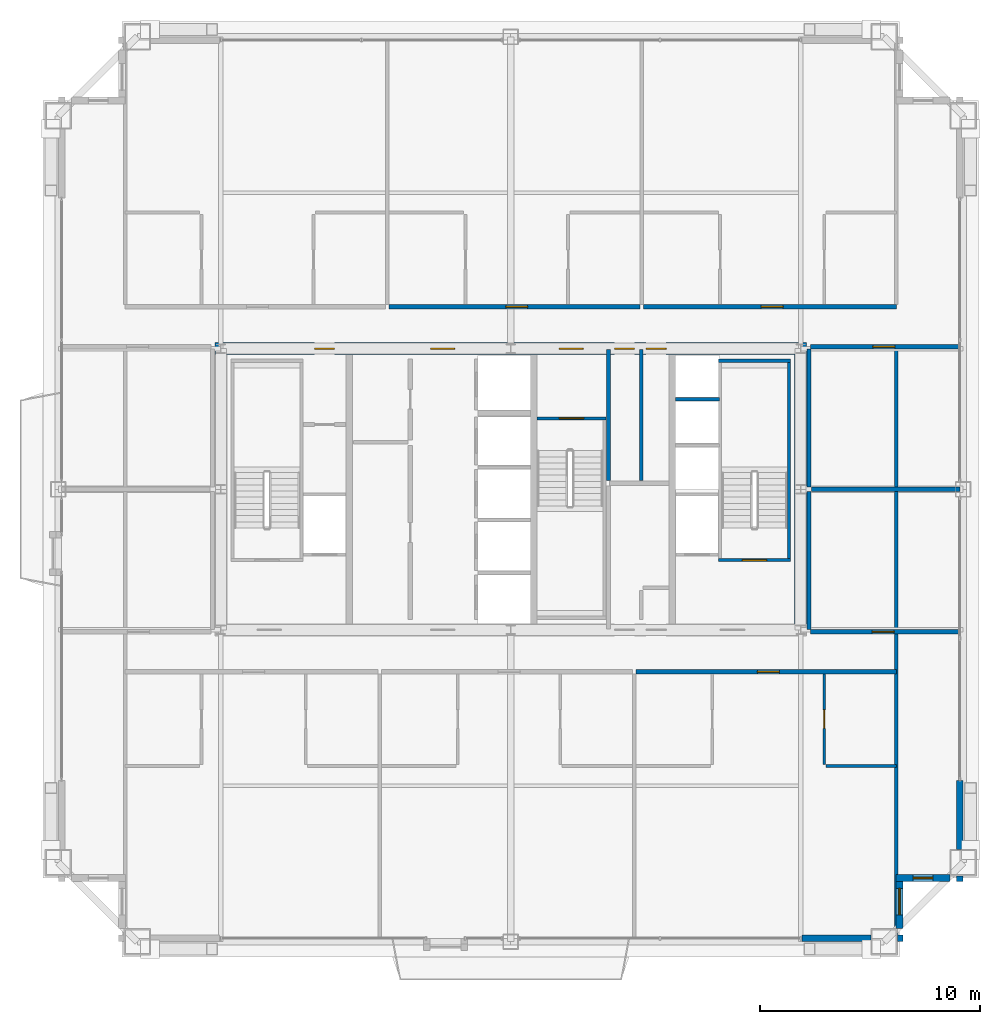
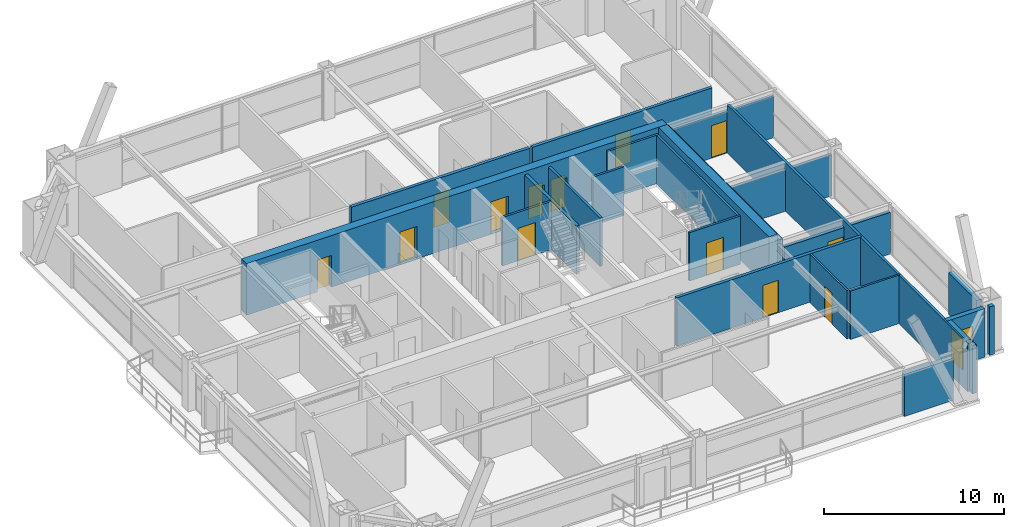
# One storey, part 31 of 33: 26 walls, 13 doors, 2 windows, 15 openings.
"""IFC4 building model written with IfcOpenShell, lengths in metres."""

import ifcopenshell
import ifcopenshell.guid

model = None  # the IFC model being written
_history = None  # IfcOwnerHistory: only IFC2X3 demands one
_inside = {}  # id of a spatial element -> (the spatial element, [elements in it])
_under = {}  # id of a project, library or spatial element -> (it, [spatial elements below it])
_declared = {}  # id of a project -> (the project, [libraries it declares])
_typed = {}  # id of a type object -> (the type object, [elements of that type])
_made_of = {}  # id of a material, layer set ... -> (it, [elements and type objects made of it])


def new_model(schema):
    """Start an empty IFC model of exactly this schema.

    Asked for "IFC4X3", IfcOpenShell would pick the latest addendum, in which some entities
    have other attributes; the version numbers below select the first issue.
    IFC2X3 requires an IfcOwnerHistory on every rooted entity: one is made here for all.
    """
    global model, _history
    if schema == "IFC4X3":
        model = ifcopenshell.file(schema_version=(4, 3, 0, 0))
    else:
        model = ifcopenshell.file(schema=schema)
    _inside.clear()
    _under.clear()
    _declared.clear()
    _typed.clear()
    _made_of.clear()
    _history = None
    if model.schema == "IFC2X3":
        org = make("IfcOrganization", Name="unknown")
        user = make(
            "IfcPersonAndOrganization",
            ThePerson=make("IfcPerson", FamilyName="unknown"),
            TheOrganization=org,
        )
        app = make(
            "IfcApplication",
            ApplicationDeveloper=org,
            Version="unknown",
            ApplicationFullName="unknown",
            ApplicationIdentifier="unknown",
        )
        _history = make(
            "IfcOwnerHistory",
            OwningUser=user,
            OwningApplication=app,
            ChangeAction="ADDED",
            CreationDate=0,
        )
    return model


def make(cls, **values):
    """One entity of the class cls with the attributes given. An attribute that is None is left unset."""
    return model.create_entity(
        cls, **{name: value for name, value in values.items() if value is not None}
    )


def rooted(cls, **values):
    """An entity with a GlobalId (a new one), such as an element, a storey or a relation."""
    return make(cls, GlobalId=ifcopenshell.guid.new(), OwnerHistory=_history, **values)


def si_unit(unit_type, name, prefix=None):
    """IfcSIUnit, for example si_unit("LENGTHUNIT", "METRE", prefix="MILLI")."""
    return make("IfcSIUnit", UnitType=unit_type, Prefix=prefix, Name=name)


def assignment(units):
    """IfcUnitAssignment: the units of a project."""
    return None if units is None else make("IfcUnitAssignment", Units=units)


def point(xyz):
    """IfcCartesianPoint."""
    return None if xyz is None else make("IfcCartesianPoint", Coordinates=xyz)


def direction(xyz):
    """IfcDirection."""
    return None if xyz is None else make("IfcDirection", DirectionRatios=xyz)


def frame(location, z_axis=None, x_axis=None):
    """IfcAxis2Placement3D, a coordinate frame: its origin and axes. An axis left out is left unset."""
    return make(
        "IfcAxis2Placement3D",
        Location=point(location),
        Axis=direction(z_axis),
        RefDirection=direction(x_axis),
    )


def frame_2d(location, x_axis=None):
    """IfcAxis2Placement2D, a coordinate frame in the plane: its origin and x axis."""
    return make(
        "IfcAxis2Placement2D", Location=point(location), RefDirection=direction(x_axis)
    )


def origin():
    """The frame at (0, 0, 0) with its axes left unset."""
    return frame((0.0, 0.0, 0.0))


def place(relative_to, where):
    """IfcLocalPlacement: puts the frame where relative to a parent placement (None: the world)."""
    return make(
        "IfcLocalPlacement", PlacementRelTo=relative_to, RelativePlacement=where
    )


def context(
    kind, dimensions, precision=None, world=None, true_north=None, identifier=None
):
    """IfcGeometricRepresentationContext, for example the 3D "Model" context."""
    return make(
        "IfcGeometricRepresentationContext",
        ContextIdentifier=identifier,
        ContextType=kind,
        CoordinateSpaceDimension=dimensions,
        Precision=precision,
        WorldCoordinateSystem=world,
        TrueNorth=true_north,
    )


def subcontext(parent, identifier, kind, view, scale=None):
    """IfcGeometricRepresentationSubContext, for example "Body" below "Model"."""
    return make(
        "IfcGeometricRepresentationSubContext",
        ContextIdentifier=identifier,
        ContextType=kind,
        ParentContext=parent,
        TargetScale=scale,
        TargetView=view,
    )


def project(units=None, contexts=None):
    """IfcProject with its units and contexts."""
    return rooted(
        "IfcProject",
        Name="project",
        RepresentationContexts=contexts,
        UnitsInContext=assignment(units),
    )


def spatial(cls, under=None, at=None, **own):
    """A site, building, storey or space (cls), placed at a placement, below another one or the project."""
    s = rooted(cls, ObjectPlacement=at, **own)
    if under is not None:
        _under.setdefault(under.id(), (under, []))[1].append(s)
    return s


def profile(cls, at=None, kind="AREA", **sizes):
    """A parametric profile (cls). Its sizes go by their IFC names, for example OverallWidth=200.0."""
    return make(cls, ProfileType=kind, Position=at, **sizes)


def rectangle(**sizes):
    """IfcRectangleProfileDef."""
    return profile("IfcRectangleProfileDef", **sizes)


def extrude(swept, where, along, depth):
    """IfcExtrudedAreaSolid: the profile swept, set in the frame where, extruded along a direction by depth."""
    return make(
        "IfcExtrudedAreaSolid",
        SweptArea=swept,
        Position=where,
        ExtrudedDirection=direction(along),
        Depth=depth,
    )


def shape(context_of_items, identifier, shape_type, items):
    """IfcShapeRepresentation: the items that make up one representation, for example the "Body"."""
    return make(
        "IfcShapeRepresentation",
        ContextOfItems=context_of_items,
        RepresentationIdentifier=identifier,
        RepresentationType=shape_type,
        Items=items,
    )


def source(mapping_origin, context_of_items, identifier, shape_type, items):
    """IfcRepresentationMap: a shape defined once, which mapped items show again and again."""
    return make(
        "IfcRepresentationMap",
        MappingOrigin=mapping_origin,
        MappedRepresentation=shape(context_of_items, identifier, shape_type, items),
    )


def transform(
    local_origin,
    x_axis=None,
    y_axis=None,
    z_axis=None,
    scale=None,
    scale2=None,
    scale3=None,
    uniform=True,
):
    """IfcCartesianTransformationOperator3D, or its non-uniform kind. x_axis, y_axis, z_axis: its Axis1, 2, 3."""
    if uniform:
        return make(
            "IfcCartesianTransformationOperator3D",
            Axis1=direction(x_axis),
            Axis2=direction(y_axis),
            LocalOrigin=point(local_origin),
            Scale=scale,
            Axis3=direction(z_axis),
        )
    return make(
        "IfcCartesianTransformationOperator3DnonUniform",
        Axis1=direction(x_axis),
        Axis2=direction(y_axis),
        LocalOrigin=point(local_origin),
        Scale=scale,
        Axis3=direction(z_axis),
        Scale2=scale2,
        Scale3=scale3,
    )


def mapped(mapping_source, mapping_target):
    """IfcMappedItem: shows the shape of a source again, moved by a transform."""
    return make(
        "IfcMappedItem", MappingSource=mapping_source, MappingTarget=mapping_target
    )


def material(Name=None, Category=None):
    """IfcMaterial."""
    return make("IfcMaterial", Name=Name, Category=Category)


def layer(
    of_material, thickness, ventilated=None, Name=None, Category=None, Priority=None
):
    """IfcMaterialLayer: one layer of a wall or slab, of a material (None: an air gap)."""
    return make(
        "IfcMaterialLayer",
        Material=of_material,
        LayerThickness=thickness,
        IsVentilated=ventilated,
        Name=Name,
        Category=Category,
        Priority=Priority,
    )


def layer_set(layers, Name=None):
    """IfcMaterialLayerSet."""
    return make("IfcMaterialLayerSet", MaterialLayers=layers, LayerSetName=Name)


def made_of(thing, what):
    """Note that an element or type object is made of a material, layer set ...; save() writes the relation."""
    if what is not None:
        _made_of.setdefault(what.id(), (what, []))[1].append(thing)
    return thing


def type_object(cls, material=None, **own):
    """A type object (cls), such as IfcWallType, which elements share."""
    return made_of(rooted(cls, **own), material)


def element(
    cls,
    number,
    at=None,
    inside=None,
    cuts=None,
    type_object=None,
    material=None,
    context=None,
    identifier="Body",
    shape_type=None,
    held_by="IfcProductDefinitionShape",
    body=None,
    shapes=None,
    **own,
):
    """One element of the class cls, such as IfcWall. Its Tag is "e" and its number.

    at: its placement. inside: the storey or other place that contains it. cuts: it is an
    opening in that element (IfcRelVoidsElement). A single representation is given by context,
    identifier, shape_type and body (its items); several are given by shapes. held_by: the class
    of the entity that holds the representations. save() writes the other relations.
    """
    e = rooted(cls, Tag="e%d" % number, ObjectPlacement=at, **own)
    if body is not None:
        shapes = [shape(context, identifier, shape_type, body)]
    if shapes is not None:
        e.Representation = make(held_by, Representations=shapes)
    if inside is not None:
        _inside.setdefault(inside.id(), (inside, []))[1].append(e)
    if cuts is not None:
        rooted(
            "IfcRelVoidsElement", RelatingBuildingElement=cuts, RelatedOpeningElement=e
        )
    if type_object is not None:
        _typed.setdefault(type_object.id(), (type_object, []))[1].append(e)
    return made_of(e, material)


def fill(opening, filler):
    """IfcRelFillsElement: the door or window that sits in an opening."""
    return rooted(
        "IfcRelFillsElement",
        RelatingOpeningElement=opening,
        RelatedBuildingElement=filler,
    )


def aggregate(whole, parts):
    """IfcRelAggregates: a whole, such as a stair, and the parts it consists of."""
    return rooted("IfcRelAggregates", RelatingObject=whole, RelatedObjects=parts)


def save(model, path):
    """Write the relations noted so far, then the file.

    IfcRelAggregates (storeys below a building ...), IfcRelContainedInSpatialStructure (elements
    in a storey), IfcRelDefinesByType, IfcRelAssociatesMaterial and IfcRelDeclares: one each for
    every whole, place, type object, material and project.
    """
    for whole, parts in _under.values():
        aggregate(whole, parts)
    for where, things in _inside.values():
        rooted(
            "IfcRelContainedInSpatialStructure",
            RelatedElements=things,
            RelatingStructure=where,
        )
    for kind, things in _typed.values():
        rooted("IfcRelDefinesByType", RelatedObjects=things, RelatingType=kind)
    for what, things in _made_of.values():
        rooted("IfcRelAssociatesMaterial", RelatedObjects=things, RelatingMaterial=what)
    for by, libraries in _declared.values():
        rooted("IfcRelDeclares", RelatingContext=by, RelatedDefinitions=libraries)
    model.write(path)


model = new_model("IFC4")

# Units and contexts
model_context = context("Model", 3, precision=1e-05, world=origin(), true_north=direction((0.0, 1.0)))
body_context = subcontext(model_context, "Body", "Model", "MODEL_VIEW")
ifc_project = project(units=[si_unit("LENGTHUNIT", "METRE"), si_unit("AREAUNIT", "SQUARE_METRE"), si_unit("VOLUMEUNIT", "CUBIC_METRE"), si_unit("PLANEANGLEUNIT", "RADIAN"), si_unit("MASSUNIT", "GRAM", prefix="KILO"), si_unit("THERMODYNAMICTEMPERATUREUNIT", "KELVIN"), si_unit("POWERUNIT", "WATT")], contexts=[model_context])

# Site, building, storey
site_placement = place(None, origin())
site = spatial("IfcSite", under=ifc_project, at=site_placement, CompositionType="ELEMENT")
building_placement = place(site_placement, origin())
building = spatial("IfcBuilding", under=site, at=building_placement, Name="Yuzanri Waterfront Tower", CompositionType="ELEMENT")
storey_placement = place(building_placement, frame((0.0, 0.0, 234.60009765625)))
storey = spatial("IfcBuildingStorey", under=building, at=storey_placement, Name="L62", CompositionType="ELEMENT", Elevation=234.60009765625)

# Wall, opening, door
ifc_material_1 = material(Name="Moisture-Resistant Gypsum Stud Wall", Category="gypsum")
ifc_layer_1 = layer(ifc_material_1, 0.1201171875)
ifc_layer_set_1 = layer_set([ifc_layer_1], Name="Moisture-Resistant Gypsum Stud Wall")
wall_type_1 = type_object("IfcWallType", Name="Bathroom and Kitchen Wet Partition 120", PredefinedType="PARTITIONING", material=ifc_layer_set_1)
wall_1_placement = place(storey_placement, frame((51.280029296875, 13.280029296875, 0.0), z_axis=(0.0, 0.0, 1.0), x_axis=(0.0, 1.0, 0.0)))
wall_1 = element("IfcWall", 1, at=wall_1_placement, inside=storey, type_object=wall_type_1, Name="L62 Partition UW-L62-RS3-SUB-2-W", PredefinedType="PARTITIONING", context=body_context, shape_type="SweptSolid", body=[
    extrude(rectangle(XDim=4.10986328125, YDim=0.1201171875, at=frame_2d((2.054931640625, 0.0))), origin(), (0.0, 0.0, 1.0), 3.27978515625),
])
opening_1_placement = place(wall_1_placement, frame((1.6298828125, 0.0, 0.0)))
opening_1 = element("IfcOpeningElement", 2, at=opening_1_placement, cuts=wall_1, Name="Opening ID-0850", PredefinedType="OPENING", context=body_context, shape_type="SweptSolid", body=[
    extrude(rectangle(XDim=0.85009765625, YDim=2.10009765625, at=frame_2d((0.425048828125, 1.050048828125))), frame((0.0, 0.074951171875, 0.0), z_axis=(0.0, -1.0, 0.0), x_axis=(1.0, 0.0, 0.0)), (0.0, 0.0, 1.0), 0.14990234375),
])
ifc_material_2 = material(Name="Moisture-Resistant Lacquered Timber", Category="wood")
door_type_1 = type_object("IfcDoorType", Name="En-Suite Bathroom and Kitchen Swing Door 850x2100", OperationType="NOTDEFINED", PredefinedType="DOOR", material=ifc_material_2)
shared_shape_1 = source(origin(), body_context, "Body", "SweptSolid", [
    extrude(rectangle(XDim=0.85009765625, YDim=2.10009765625, at=frame_2d((0.425048828125, 1.050048828125))), frame((0.0, 0.02490234375, 0.0), z_axis=(0.0, -1.0, 0.0), x_axis=(1.0, 0.0, 0.0)), (0.0, 0.0, 1.0), 0.050048828125),
])
door_1_placement = place(opening_1_placement, origin())
door_1 = element("IfcDoor", 3, at=door_1_placement, inside=storey, type_object=door_type_1, Name="L62 Suite Interior Room Door", OperationType="SINGLE_SWING_RIGHT", OverallHeight=2.10009765625, OverallWidth=0.85009765625, PredefinedType="DOOR", context=body_context, shape_type="MappedRepresentation", body=[
    mapped(shared_shape_1, transform((0.0, 0.0, 0.0), scale=1.0)),
])
fill(opening_1, door_1)

# Wall, opening, window
ifc_material_3 = material(Name="Honed Chongqing Dark Basalt Stone", Category="masonry")
ifc_layer_2 = layer(ifc_material_3, 0.300048828125)
ifc_layer_set_2 = layer_set([ifc_layer_2], Name="Honed Chongqing Dark Basalt Stone")
wall_type_2 = type_object("IfcWallType", Name="Bronze Rainscreen Insulated Spandrel Portal Wall 300", PredefinedType="SOLIDWALL", material=ifc_layer_set_2)
wall_2_placement = place(storey_placement, frame((54.550048828125, 8.10009765625, 0.0), z_axis=(0.0, 0.0, 1.0), x_axis=(1.0, 0.0, 0.0)))
wall_2 = element("IfcWall", 4, at=wall_2_placement, inside=storey, type_object=wall_type_2, Name="L62 Notched Corner Masonry Wall SE-X", PredefinedType="SOLIDWALL", context=body_context, shape_type="SweptSolid", body=[
    extrude(rectangle(XDim=2.449951171875, YDim=0.300048828125, at=frame_2d((1.22509765625, 0.0))), origin(), (0.0, 0.0, 1.0), 3.27978515625),
])
opening_2_placement = place(wall_2_placement, frame((0.77490234375, 0.0, 0.85009765625)))
opening_2 = element("IfcOpeningElement", 5, at=opening_2_placement, cuts=wall_2, Name="Opening WN-05", PredefinedType="OPENING", context=body_context, shape_type="SweptSolid", body=[
    extrude(rectangle(XDim=0.89990234375, YDim=1.5, at=frame_2d((0.449951171875, 0.75))), frame((0.0, 0.1650390625, 0.0), z_axis=(0.0, -1.0, 0.0), x_axis=(1.0, 0.0, 0.0)), (0.0, 0.0, 1.0), 0.329833984375),
])
ifc_material_4 = material(Name="Double-Silver Low-E Insulated Glass", Category="glass")
window_type_1 = type_object("IfcWindowType", Name="Anodized Bronze Service and Stairwell Smoke-Vent Window 900x1500", PartitioningType="SINGLE_PANEL", PredefinedType="WINDOW", material=ifc_material_4)
shared_shape_2 = source(origin(), body_context, "Body", "SweptSolid", [
    extrude(rectangle(XDim=0.89990234375, YDim=1.5, at=frame_2d((0.449951171875, 0.75))), frame((0.0, 0.030029296875, 0.0), z_axis=(0.0, -1.0, 0.0), x_axis=(1.0, 0.0, 0.0)), (0.0, 0.0, 1.0), 0.06005859375),
])
window_1_placement = place(opening_2_placement, origin())
window_1 = element("IfcWindow", 6, at=window_1_placement, inside=storey, type_object=window_type_1, Name="L62 Notched Corner Window SE-X", OverallHeight=1.5, OverallWidth=0.89990234375, PartitioningType="SINGLE_PANEL", PredefinedType="WINDOW", context=body_context, shape_type="MappedRepresentation", body=[
    mapped(shared_shape_2, transform((0.0, 0.0, 0.0), scale=1.0)),
])
fill(opening_2, window_1)

wall_3_placement = place(storey_placement, frame((54.699951171875, 5.800048828125, 0.0), z_axis=(0.0, 0.0, 1.0), x_axis=(0.0, 1.0, 0.0)))
wall_3 = element("IfcWall", 7, at=wall_3_placement, inside=storey, type_object=wall_type_2, Name="L62 Notched Corner Masonry Wall SE-Y", PredefinedType="SOLIDWALL", context=body_context, shape_type="SweptSolid", body=[
    extrude(rectangle(XDim=2.449951171875, YDim=0.300048828125, at=frame_2d((1.22509765625, 0.0))), origin(), (0.0, 0.0, 1.0), 3.27978515625),
])
opening_3_placement = place(wall_3_placement, frame((0.625, 0.0, 0.85009765625)))
opening_3 = element("IfcOpeningElement", 8, at=opening_3_placement, cuts=wall_3, Name="Opening WN-02", PredefinedType="OPENING", context=body_context, shape_type="SweptSolid", body=[
    extrude(rectangle(XDim=1.199951171875, YDim=2.10009765625, at=frame_2d((0.60009765625, 1.050048828125))), frame((0.0, 0.1650390625, 0.0), z_axis=(0.0, -1.0, 0.0), x_axis=(1.0, 0.0, 0.0)), (0.0, 0.0, 1.0), 0.329833984375),
])
ifc_material_5 = material(Name="Double-Silver Low-E Insulated Glass", Category="glass")
window_type_2 = type_object("IfcWindowType", Name="Anodized Bronze Notched Corner Deep-Set Slot Window 1200x2100", PartitioningType="SINGLE_PANEL", PredefinedType="WINDOW", material=ifc_material_5)
shared_shape_3 = source(origin(), body_context, "Body", "SweptSolid", [
    extrude(rectangle(XDim=1.199951171875, YDim=2.10009765625, at=frame_2d((0.60009765625, 1.050048828125))), frame((0.0, 0.030029296875, 0.0), z_axis=(0.0, -1.0, 0.0), x_axis=(1.0, 0.0, 0.0)), (0.0, 0.0, 1.0), 0.06005859375),
])
window_2_placement = place(opening_3_placement, origin())
window_2 = element("IfcWindow", 9, at=window_2_placement, inside=storey, type_object=window_type_2, Name="L62 Notched Corner Window SE-Y", OverallHeight=2.10009765625, OverallWidth=1.199951171875, PartitioningType="SINGLE_PANEL", PredefinedType="WINDOW", context=body_context, shape_type="MappedRepresentation", body=[
    mapped(shared_shape_3, transform((0.0, 0.0, 0.0), scale=1.0)),
])
fill(opening_3, window_2)

# Wall, openings, doors
ifc_material_6 = material(Name="Concrete C50", Category="concrete")
ifc_layer_3 = layer(ifc_material_6, 0.550048828125)
ifc_layer_set_3 = layer_set([ifc_layer_3], Name="Concrete C50")
wall_type_3 = type_object("IfcWallType", Name="Concrete C50 Upper-Mid Zone Core Shear Wall 550", PredefinedType="SHEAR", material=ifc_layer_set_3)
wall_4_placement = place(storey_placement, frame((23.52490234375, 32.199951171875, 0.0), z_axis=(0.0, 0.0, 1.0), x_axis=(1.0, 0.0, 0.0)))
wall_4 = element("IfcWall", 10, at=wall_4_placement, inside=storey, type_object=wall_type_3, Name="L62 Core North Shear Wall", PredefinedType="SHEAR", context=body_context, shape_type="SweptSolid", body=[
    extrude(rectangle(XDim=26.9501953125, YDim=0.550048828125, at=frame_2d((13.47509765625, 0.0))), origin(), (0.0, 0.0, 1.0), 3.5),
])
opening_4_placement = place(wall_4_placement, frame((4.544921875, 0.0, 0.0)))
opening_4 = element("IfcOpeningElement", 11, at=opening_4_placement, cuts=wall_4, Name="Opening FD-0900", PredefinedType="OPENING", context=body_context, shape_type="SweptSolid", body=[
    extrude(rectangle(XDim=0.89990234375, YDim=2.14990234375, at=frame_2d((0.449951171875, 1.074951171875))), frame((0.0, 0.2900390625, 0.0), z_axis=(0.0, -1.0, 0.0), x_axis=(1.0, 0.0, 0.0)), (0.0, 0.0, 1.0), 0.579833984375),
])
opening_5_placement = place(wall_4_placement, frame((9.824951171875, 0.0, 0.0)))
opening_5 = element("IfcOpeningElement", 12, at=opening_5_placement, cuts=wall_4, Name="Opening FD-1100", PredefinedType="OPENING", context=body_context, shape_type="SweptSolid", body=[
    extrude(rectangle(XDim=1.10009765625, YDim=2.199951171875, at=frame_2d((0.550048828125, 1.10009765625))), frame((0.0, 0.2900390625, 0.0), z_axis=(0.0, -1.0, 0.0), x_axis=(1.0, 0.0, 0.0)), (0.0, 0.0, 1.0), 0.579833984375),
])
opening_6_placement = place(wall_4_placement, frame((15.675048828125, 0.0, 0.0)))
opening_6 = element("IfcOpeningElement", 13, at=opening_6_placement, cuts=wall_4, Name="Opening FD-1100", PredefinedType="OPENING", context=body_context, shape_type="SweptSolid", body=[
    extrude(rectangle(XDim=1.10009765625, YDim=2.199951171875, at=frame_2d((0.550048828125, 1.10009765625))), frame((0.0, 0.2900390625, 0.0), z_axis=(0.0, -1.0, 0.0), x_axis=(1.0, 0.0, 0.0)), (0.0, 0.0, 1.0), 0.579833984375),
])
opening_7_placement = place(wall_4_placement, frame((18.205078125, 0.0, 0.0)))
opening_7 = element("IfcOpeningElement", 14, at=opening_7_placement, cuts=wall_4, Name="Opening FD-0900", PredefinedType="OPENING", context=body_context, shape_type="SweptSolid", body=[
    extrude(rectangle(XDim=0.89990234375, YDim=2.14990234375, at=frame_2d((0.449951171875, 1.074951171875))), frame((0.0, 0.2900390625, 0.0), z_axis=(0.0, -1.0, 0.0), x_axis=(1.0, 0.0, 0.0)), (0.0, 0.0, 1.0), 0.579833984375),
])
opening_8_placement = place(wall_4_placement, frame((19.64501953125, 0.0, 0.0)))
opening_8 = element("IfcOpeningElement", 15, at=opening_8_placement, cuts=wall_4, Name="Opening FD-0900", PredefinedType="OPENING", context=body_context, shape_type="SweptSolid", body=[
    extrude(rectangle(XDim=0.89990234375, YDim=2.14990234375, at=frame_2d((0.449951171875, 1.074951171875))), frame((0.0, 0.2900390625, 0.0), z_axis=(0.0, -1.0, 0.0), x_axis=(1.0, 0.0, 0.0)), (0.0, 0.0, 1.0), 0.579833984375),
])
ifc_material_7 = material(Name="Painted Galvanized Fire Steel", Category="steel")
door_type_2 = type_object("IfcDoorType", Name="Smoke-Proof Stair and Lobby Fire Door 1100x2200", OperationType="NOTDEFINED", PredefinedType="DOOR", material=ifc_material_7)
shared_shape_4 = source(origin(), body_context, "Body", "SweptSolid", [
    extrude(rectangle(XDim=1.10009765625, YDim=2.199951171875, at=frame_2d((0.550048828125, 1.10009765625))), frame((0.0, 0.02490234375, 0.0), z_axis=(0.0, -1.0, 0.0), x_axis=(1.0, 0.0, 0.0)), (0.0, 0.0, 1.0), 0.050048828125),
])
door_2_placement = place(opening_5_placement, origin())
door_2 = element("IfcDoor", 16, at=door_2_placement, inside=storey, type_object=door_type_2, Name="L62 Central Lift Lobby North Door", OperationType="SINGLE_SWING_LEFT", OverallHeight=2.199951171875, OverallWidth=1.10009765625, PredefinedType="DOOR", context=body_context, shape_type="MappedRepresentation", body=[
    mapped(shared_shape_4, transform((0.0, 0.0, 0.0), scale=1.0)),
])
fill(opening_5, door_2)
door_3_placement = place(opening_6_placement, origin())
door_3 = element("IfcDoor", 17, at=door_3_placement, inside=storey, type_object=door_type_2, Name="L62 North Stair Lobby Door", OperationType="SINGLE_SWING_RIGHT", OverallHeight=2.199951171875, OverallWidth=1.10009765625, PredefinedType="DOOR", context=body_context, shape_type="MappedRepresentation", body=[
    mapped(shared_shape_4, transform((0.0, 0.0, 0.0), scale=1.0)),
])
fill(opening_6, door_3)
ifc_material_8 = material(Name="Painted Galvanized Fire Steel", Category="steel")
door_type_3 = type_object("IfcDoorType", Name="Riser and Service Room Fire Door 900x2150", OperationType="NOTDEFINED", PredefinedType="DOOR", material=ifc_material_8)
shared_shape_5 = source(origin(), body_context, "Body", "SweptSolid", [
    extrude(rectangle(XDim=0.89990234375, YDim=2.14990234375, at=frame_2d((0.449951171875, 1.074951171875))), frame((0.0, 0.02490234375, 0.0), z_axis=(0.0, -1.0, 0.0), x_axis=(1.0, 0.0, 0.0)), (0.0, 0.0, 1.0), 0.050048828125),
])
door_4_placement = place(opening_4_placement, origin())
door_4 = element("IfcDoor", 18, at=door_4_placement, inside=storey, type_object=door_type_3, Name="L62 Telecom Riser Door", OperationType="SINGLE_SWING_RIGHT", OverallHeight=2.14990234375, OverallWidth=0.89990234375, PredefinedType="DOOR", context=body_context, shape_type="MappedRepresentation", body=[
    mapped(shared_shape_5, transform((0.0, 0.0, 0.0), scale=1.0)),
])
fill(opening_4, door_4)
door_5_placement = place(opening_7_placement, origin())
door_5 = element("IfcDoor", 19, at=door_5_placement, inside=storey, type_object=door_type_3, Name="L62 Common Store Room", OperationType="SINGLE_SWING_RIGHT", OverallHeight=2.14990234375, OverallWidth=0.89990234375, PredefinedType="DOOR", context=body_context, shape_type="MappedRepresentation", body=[
    mapped(shared_shape_5, transform((0.0, 0.0, 0.0), scale=1.0)),
])
fill(opening_7, door_5)
door_6_placement = place(opening_8_placement, origin())
door_6 = element("IfcDoor", 20, at=door_6_placement, inside=storey, type_object=door_type_3, Name="L62 Linen Store Room", OperationType="SINGLE_SWING_LEFT", OverallHeight=2.14990234375, OverallWidth=0.89990234375, PredefinedType="DOOR", context=body_context, shape_type="MappedRepresentation", body=[
    mapped(shared_shape_5, transform((0.0, 0.0, 0.0), scale=1.0)),
])
fill(opening_8, door_6)

# Wall, opening, door
ifc_material_9 = material(Name="Concrete C40", Category="concrete")
ifc_layer_4 = layer(ifc_material_9, 0.139892578125)
ifc_layer_set_4 = layer_set([ifc_layer_4], Name="Concrete C40")
wall_type_4 = type_object("IfcWallType", Name="Core Stair Liner and Hoistway Shaft Wall 140", PredefinedType="SOLIDWALL", material=ifc_layer_set_4)
wall_5_placement = place(storey_placement, frame((46.4599609375, 22.570068359375, 0.0), z_axis=(0.0, 0.0, 1.0), x_axis=(1.0, 0.0, 0.0)))
wall_5 = element("IfcWall", 21, at=wall_5_placement, inside=storey, type_object=wall_type_4, Name="L62 Shaft Wall STW-L62-ST-02-S", PredefinedType="SOLIDWALL", context=body_context, shape_type="SweptSolid", body=[
    extrude(rectangle(XDim=3.280029296875, YDim=0.139892578125, at=frame_2d((1.64013671875, 0.0))), origin(), (0.0, 0.0, 1.0), 3.27978515625),
])
opening_9_placement = place(wall_5_placement, frame((1.090087890625, 0.0, 0.0)))
opening_9 = element("IfcOpeningElement", 22, at=opening_9_placement, cuts=wall_5, Name="Opening FD-1100", PredefinedType="OPENING", context=body_context, shape_type="SweptSolid", body=[
    extrude(rectangle(XDim=1.10009765625, YDim=2.199951171875, at=frame_2d((0.550048828125, 1.10009765625))), frame((0.0, 0.0849609375, 0.0), z_axis=(0.0, -1.0, 0.0), x_axis=(1.0, 0.0, 0.0)), (0.0, 0.0, 1.0), 0.169677734375),
])
door_7_placement = place(opening_9_placement, origin())
door_7 = element("IfcDoor", 23, at=door_7_placement, inside=storey, type_object=door_type_2, Name="L62 Stair ST-02 Fire Door", OperationType="SINGLE_SWING_LEFT", OverallHeight=2.199951171875, OverallWidth=1.10009765625, PredefinedType="DOOR", context=body_context, shape_type="MappedRepresentation", body=[
    mapped(shared_shape_4, transform((0.0, 0.0, 0.0), scale=1.0)),
])
fill(opening_9, door_7)

wall_6_placement = place(storey_placement, frame((38.199951171875, 29.030029296875, 0.0), z_axis=(0.0, 0.0, 1.0), x_axis=(1.0, 0.0, 0.0)))
wall_6 = element("IfcWall", 24, at=wall_6_placement, inside=storey, type_object=wall_type_4, Name="L62 Shaft Wall STW-L62-ST-03-N", PredefinedType="SOLIDWALL", context=body_context, shape_type="SweptSolid", body=[
    extrude(rectangle(XDim=3.14013671875, YDim=0.139892578125, at=frame_2d((1.570068359375, 0.0))), origin(), (0.0, 0.0, 1.0), 3.27978515625),
])
opening_10_placement = place(wall_6_placement, frame((1.02001953125, 0.0, 0.0)))
opening_10 = element("IfcOpeningElement", 25, at=opening_10_placement, cuts=wall_6, Name="Opening FD-1100", PredefinedType="OPENING", context=body_context, shape_type="SweptSolid", body=[
    extrude(rectangle(XDim=1.10009765625, YDim=2.199951171875, at=frame_2d((0.550048828125, 1.10009765625))), frame((0.0, 0.0849609375, 0.0), z_axis=(0.0, -1.0, 0.0), x_axis=(1.0, 0.0, 0.0)), (0.0, 0.0, 1.0), 0.169677734375),
])
door_8_placement = place(opening_10_placement, origin())
door_8 = element("IfcDoor", 26, at=door_8_placement, inside=storey, type_object=door_type_2, Name="L62 Stair ST-03 Fire Door", OperationType="SINGLE_SWING_RIGHT", OverallHeight=2.199951171875, OverallWidth=1.10009765625, PredefinedType="DOOR", context=body_context, shape_type="MappedRepresentation", body=[
    mapped(shared_shape_4, transform((0.0, 0.0, 0.0), scale=1.0)),
])
fill(opening_10, door_8)

ifc_material_10 = material(Name="Autoclaved Aerated Concrete Blockwork", Category="masonry")
ifc_layer_5 = layer(ifc_material_10, 0.199951171875)
ifc_layer_set_5 = layer_set([ifc_layer_5], Name="Autoclaved Aerated Concrete Blockwork")
wall_type_5 = type_object("IfcWallType", Name="Corridor and Unit Party Fire Wall 200", PredefinedType="PARTITIONING", material=ifc_layer_set_5)
wall_7_placement = place(storey_placement, frame((42.698974609375, 17.489990234375, 0.0), z_axis=(0.0, 0.0, 1.0), x_axis=(1.0, 0.0, 0.0)))
wall_7 = element("IfcWall", 27, at=wall_7_placement, inside=storey, type_object=wall_type_5, Name="L62 Partition UW-L62-RS3-CN", PredefinedType="PARTITIONING", context=body_context, shape_type="SweptSolid", body=[
    extrude(rectangle(XDim=11.861083984375, YDim=0.199951171875, at=frame_2d((5.9306640625, 0.0))), origin(), (0.0, 0.0, 1.0), 3.27978515625),
])
opening_11_placement = place(wall_7_placement, frame((5.531005859375, 0.0, 0.0)))
opening_11 = element("IfcOpeningElement", 28, at=opening_11_placement, cuts=wall_7, Name="Opening FD-1000", PredefinedType="OPENING", context=body_context, shape_type="SweptSolid", body=[
    extrude(rectangle(XDim=1.0, YDim=2.199951171875, at=frame_2d((0.5, 1.10009765625))), frame((0.0, 0.11474609375, 0.0), z_axis=(0.0, -1.0, 0.0), x_axis=(1.0, 0.0, 0.0)), (0.0, 0.0, 1.0), 0.229736328125),
])
ifc_material_11 = material(Name="Engineered Oak Fire-Rated Timber", Category="wood")
door_type_4 = type_object("IfcDoorType", Name="Guestroom and Apartment Entrance Fire Door 1000x2200", OperationType="NOTDEFINED", PredefinedType="DOOR", material=ifc_material_11)
shared_shape_6 = source(origin(), body_context, "Body", "SweptSolid", [
    extrude(rectangle(XDim=1.0, YDim=2.199951171875, at=frame_2d((0.5, 1.10009765625))), frame((0.0, 0.02490234375, 0.0), z_axis=(0.0, -1.0, 0.0), x_axis=(1.0, 0.0, 0.0)), (0.0, 0.0, 1.0), 0.050048828125),
])
door_9_placement = place(opening_11_placement, origin())
door_9 = element("IfcDoor", 29, at=door_9_placement, inside=storey, type_object=door_type_4, Name="L62 Studio Living and Sleeping Room Entrance Door", OperationType="SINGLE_SWING_RIGHT", OverallHeight=2.199951171875, OverallWidth=1.0, PredefinedType="DOOR", context=body_context, shape_type="MappedRepresentation", body=[
    mapped(shared_shape_6, transform((0.0, 0.0, 0.0), scale=1.0)),
])
fill(opening_11, door_9)

wall_8_placement = place(storey_placement, frame((31.4609375, 34.110107421875, 0.0), z_axis=(0.0, 0.0, 1.0), x_axis=(1.0, 0.0, 0.0)))
wall_8 = element("IfcWall", 30, at=wall_8_placement, inside=storey, type_object=wall_type_5, Name="L62 Partition UW-L62-RN2-CS", PredefinedType="PARTITIONING", context=body_context, shape_type="SweptSolid", body=[
    extrude(rectangle(XDim=11.428955078125, YDim=0.199951171875, at=frame_2d((5.71435546875, 0.0))), origin(), (0.0, 0.0, 1.0), 3.27978515625),
])
opening_12_placement = place(wall_8_placement, frame((5.31396484375, 0.0, 0.0)))
opening_12 = element("IfcOpeningElement", 31, at=opening_12_placement, cuts=wall_8, Name="Opening FD-1000", PredefinedType="OPENING", context=body_context, shape_type="SweptSolid", body=[
    extrude(rectangle(XDim=1.0, YDim=2.199951171875, at=frame_2d((0.5, 1.10009765625))), frame((0.0, 0.11474609375, 0.0), z_axis=(0.0, -1.0, 0.0), x_axis=(1.0, 0.0, 0.0)), (0.0, 0.0, 1.0), 0.229736328125),
])
door_10_placement = place(opening_12_placement, origin())
door_10 = element("IfcDoor", 32, at=door_10_placement, inside=storey, type_object=door_type_4, Name="L62 Studio Living and Sleeping Room Entrance Door", OperationType="SINGLE_SWING_RIGHT", OverallHeight=2.199951171875, OverallWidth=1.0, PredefinedType="DOOR", context=body_context, shape_type="MappedRepresentation", body=[
    mapped(shared_shape_6, transform((0.0, 0.0, 0.0), scale=1.0)),
])
fill(opening_12, door_10)

wall_9_placement = place(storey_placement, frame((43.050048828125, 34.110107421875, 0.0), z_axis=(0.0, 0.0, 1.0), x_axis=(1.0, 0.0, 0.0)))
wall_9 = element("IfcWall", 33, at=wall_9_placement, inside=storey, type_object=wall_type_5, Name="L62 Partition UW-L62-RN3-CS", PredefinedType="PARTITIONING", context=body_context, shape_type="SweptSolid", body=[
    extrude(rectangle(XDim=11.510009765625, YDim=0.199951171875, at=frame_2d((5.7548828125, 0.0))), origin(), (0.0, 0.0, 1.0), 3.27978515625),
])
opening_13_placement = place(wall_9_placement, frame((5.35498046875, 0.0, 0.0)))
opening_13 = element("IfcOpeningElement", 34, at=opening_13_placement, cuts=wall_9, Name="Opening FD-1000", PredefinedType="OPENING", context=body_context, shape_type="SweptSolid", body=[
    extrude(rectangle(XDim=1.0, YDim=2.199951171875, at=frame_2d((0.5, 1.10009765625))), frame((0.0, 0.11474609375, 0.0), z_axis=(0.0, -1.0, 0.0), x_axis=(1.0, 0.0, 0.0)), (0.0, 0.0, 1.0), 0.229736328125),
])
door_11_placement = place(opening_13_placement, origin())
door_11 = element("IfcDoor", 35, at=door_11_placement, inside=storey, type_object=door_type_4, Name="L62 Studio Living and Sleeping Room Entrance Door", OperationType="SINGLE_SWING_LEFT", OverallHeight=2.199951171875, OverallWidth=1.0, PredefinedType="DOOR", context=body_context, shape_type="MappedRepresentation", body=[
    mapped(shared_shape_6, transform((0.0, 0.0, 0.0), scale=1.0)),
])
fill(opening_13, door_11)

wall_10_placement = place(storey_placement, frame((50.64990234375, 19.31005859375, 0.0), z_axis=(0.0, 0.0, 1.0), x_axis=(1.0, 0.0, 0.0)))
wall_10 = element("IfcWall", 36, at=wall_10_placement, inside=storey, type_object=wall_type_5, Name="L62 Partition UW-L62-038-CS", PredefinedType="PARTITIONING", context=body_context, shape_type="SweptSolid", body=[
    extrude(rectangle(XDim=6.800048828125, YDim=0.199951171875, at=frame_2d((3.39990234375, 0.0))), origin(), (0.0, 0.0, 1.0), 2.824951171875),
])
opening_14_placement = place(wall_10_placement, frame((2.800048828125, 0.0, 0.0)))
opening_14 = element("IfcOpeningElement", 37, at=opening_14_placement, cuts=wall_10, Name="Opening FD-1000", PredefinedType="OPENING", context=body_context, shape_type="SweptSolid", body=[
    extrude(rectangle(XDim=1.0, YDim=2.199951171875, at=frame_2d((0.5, 1.10009765625))), frame((0.0, 0.11474609375, 0.0), z_axis=(0.0, -1.0, 0.0), x_axis=(1.0, 0.0, 0.0)), (0.0, 0.0, 1.0), 0.229736328125),
])
door_12_placement = place(opening_14_placement, origin())
door_12 = element("IfcDoor", 38, at=door_12_placement, inside=storey, type_object=door_type_4, Name="L62 Residents E Fitness Gymnasium Entrance Door", OperationType="SINGLE_SWING_RIGHT", OverallHeight=2.199951171875, OverallWidth=1.0, PredefinedType="DOOR", context=body_context, shape_type="MappedRepresentation", body=[
    mapped(shared_shape_6, transform((0.0, 0.0, 0.0), scale=1.0)),
])
fill(opening_14, door_12)

wall_11_placement = place(storey_placement, frame((50.64990234375, 32.2900390625, 0.0), z_axis=(0.0, 0.0, 1.0), x_axis=(1.0, 0.0, 0.0)))
wall_11 = element("IfcWall", 39, at=wall_11_placement, inside=storey, type_object=wall_type_5, Name="L62 Partition UW-L62-039-CN", PredefinedType="PARTITIONING", context=body_context, shape_type="SweptSolid", body=[
    extrude(rectangle(XDim=6.800048828125, YDim=0.199951171875, at=frame_2d((3.39990234375, 0.0))), origin(), (0.0, 0.0, 1.0), 2.824951171875),
])
opening_15_placement = place(wall_11_placement, frame((2.8349609375, 0.0, 0.0)))
opening_15 = element("IfcOpeningElement", 40, at=opening_15_placement, cuts=wall_11, Name="Opening FD-1000", PredefinedType="OPENING", context=body_context, shape_type="SweptSolid", body=[
    extrude(rectangle(XDim=1.0, YDim=2.199951171875, at=frame_2d((0.5, 1.10009765625))), frame((0.0, 0.11474609375, 0.0), z_axis=(0.0, -1.0, 0.0), x_axis=(1.0, 0.0, 0.0)), (0.0, 0.0, 1.0), 0.229736328125),
])
door_13_placement = place(opening_15_placement, origin())
door_13 = element("IfcDoor", 41, at=door_13_placement, inside=storey, type_object=door_type_4, Name="L62 Residents E Yoga Gym Studio Entrance Door", OperationType="SINGLE_SWING_LEFT", OverallHeight=2.199951171875, OverallWidth=1.0, PredefinedType="DOOR", context=body_context, shape_type="MappedRepresentation", body=[
    mapped(shared_shape_6, transform((0.0, 0.0, 0.0), scale=1.0)),
])
fill(opening_15, door_13)

# Walls
shared_shape_7 = source(origin(), body_context, "Body", "SweptSolid", [
    extrude(rectangle(XDim=12.25, YDim=0.550048828125, at=frame_2d((6.125, 0.0))), origin(), (0.0, 0.0, 1.0), 3.5),
])
wall_12_placement = place(storey_placement, frame((50.199951171875, 19.675048828125, 0.0), z_axis=(0.0, 0.0, 1.0), x_axis=(0.0, 1.0, 0.0)))
element("IfcWall", 42, at=wall_12_placement, inside=storey, type_object=wall_type_3, Name="L62 Core East Shear Wall", PredefinedType="SHEAR", context=body_context, shape_type="MappedRepresentation", body=[
    mapped(shared_shape_7, transform((0.0, 0.0, 0.0), scale=1.0)),
])
shared_shape_8 = source(origin(), body_context, "Body", "SweptSolid", [
    extrude(rectangle(XDim=0.25, YDim=0.300048828125, at=frame_2d((0.125, 0.0))), origin(), (0.0, 0.0, 1.0), 3.27978515625),
])
for number, where, z_axis, x_axis, name in (
    (43, (54.60009765625, 5.35009765625, 0.0), (0.0, 0.0, 1.0), (1.0, 0.0, 0.0), "L62 Corner Column Shoulder Return CSE"),
    (44, (57.449951171875, 7.949951171875, 0.0), (0.0, 0.0, 1.0), (0.0, 1.0, 0.0), "L62 Corner Column Shoulder Return CES"),
):
    element("IfcWall", number, at=place(storey_placement, frame(where, z_axis=z_axis, x_axis=x_axis)), inside=storey, type_object=wall_type_2, Name=name, PredefinedType="SOLIDWALL", context=body_context, shape_type="MappedRepresentation", body=[
        mapped(shared_shape_8, transform((0.0, 0.0, 0.0), scale=1.0)),
    ])
shared_shape_9 = source(origin(), body_context, "Body", "SweptSolid", [
    extrude(rectangle(XDim=3.14990234375, YDim=0.300048828125, at=frame_2d((1.574951171875, 0.0))), origin(), (0.0, 0.0, 1.0), 2.8349609375),
])
wall_13_placement = place(storey_placement, frame((50.25, 5.35009765625, 0.0), z_axis=(0.0, 0.0, 1.0), x_axis=(1.0, 0.0, 0.0)))
element("IfcWall", 45, at=wall_13_placement, inside=storey, type_object=wall_type_2, Name="L62 S Right Braced Masonry Shoulder", PredefinedType="SOLIDWALL", context=body_context, shape_type="MappedRepresentation", body=[
    mapped(shared_shape_9, transform((0.0, 0.0, 0.0), scale=1.0)),
])
shared_shape_10 = source(origin(), body_context, "Body", "SweptSolid", [
    extrude(rectangle(XDim=3.150146484375, YDim=0.300048828125, at=frame_2d((1.5751953125, 0.0))), origin(), (0.0, 0.0, 1.0), 2.8349609375),
])
wall_14_placement = place(storey_placement, frame((57.449951171875, 9.39990234375, 0.0), z_axis=(0.0, 0.0, 1.0), x_axis=(0.0, 1.0, 0.0)))
element("IfcWall", 46, at=wall_14_placement, inside=storey, type_object=wall_type_2, Name="L62 E Left Braced Masonry Shoulder", PredefinedType="SOLIDWALL", context=body_context, shape_type="MappedRepresentation", body=[
    mapped(shared_shape_10, transform((0.0, 0.0, 0.0), scale=1.0)),
])
shared_shape_11 = source(origin(), body_context, "Body", "SweptSolid", [
    extrude(rectangle(XDim=2.0, YDim=0.139892578125, at=frame_2d((1.0, 0.0))), origin(), (0.0, 0.0, 1.0), 3.27978515625),
])
wall_15_placement = place(storey_placement, frame((44.5, 29.89990234375, 0.0), z_axis=(0.0, 0.0, 1.0), x_axis=(1.0, 0.0, 0.0)))
element("IfcWall", 47, at=wall_15_placement, inside=storey, type_object=wall_type_4, Name="L62 Lift PL-10 Divider Wall", PredefinedType="SOLIDWALL", context=body_context, shape_type="MappedRepresentation", body=[
    mapped(shared_shape_11, transform((0.0, 0.0, 0.0), scale=1.0)),
])
shared_shape_12 = source(origin(), body_context, "Body", "SweptSolid", [
    extrude(rectangle(XDim=3.280029296875, YDim=0.139892578125, at=frame_2d((1.64013671875, 0.0))), origin(), (0.0, 0.0, 1.0), 3.27978515625),
])
wall_16_placement = place(storey_placement, frame((46.4599609375, 31.64990234375, 0.0), z_axis=(0.0, 0.0, 1.0), x_axis=(1.0, 0.0, 0.0)))
element("IfcWall", 48, at=wall_16_placement, inside=storey, type_object=wall_type_4, Name="L62 Stair ST-02 North Shaft Wall", PredefinedType="SOLIDWALL", context=body_context, shape_type="MappedRepresentation", body=[
    mapped(shared_shape_12, transform((0.0, 0.0, 0.0), scale=1.0)),
])
shared_shape_13 = source(origin(), body_context, "Body", "SweptSolid", [
    extrude(rectangle(XDim=8.940185546875, YDim=0.139892578125, at=frame_2d((4.47021484375, 0.0))), origin(), (0.0, 0.0, 1.0), 3.27978515625),
])
wall_17_placement = place(storey_placement, frame((49.669921875, 22.639892578125, 0.0), z_axis=(0.0, 0.0, 1.0), x_axis=(0.0, 1.0, 0.0)))
element("IfcWall", 49, at=wall_17_placement, inside=storey, type_object=wall_type_4, Name="L62 Stair ST-02 East Shaft Wall", PredefinedType="SOLIDWALL", context=body_context, shape_type="MappedRepresentation", body=[
    mapped(shared_shape_13, transform((0.0, 0.0, 0.0), scale=1.0)),
])
shared_shape_14 = source(origin(), body_context, "Body", "SweptSolid", [
    extrude(rectangle(XDim=3.199951171875, YDim=0.1201171875, at=frame_2d((1.60009765625, 0.0))), origin(), (0.0, 0.0, 1.0), 3.27978515625),
])
wall_18_placement = place(storey_placement, frame((51.360107421875, 13.199951171875, 0.0), z_axis=(0.0, 0.0, 1.0), x_axis=(1.0, 0.0, 0.0)))
element("IfcWall", 50, at=wall_18_placement, inside=storey, type_object=wall_type_1, Name="L62 Partition UW-L62-RS3-SUB-2-S", PredefinedType="PARTITIONING", context=body_context, shape_type="MappedRepresentation", body=[
    mapped(shared_shape_14, transform((0.0, 0.0, 0.0), scale=1.0)),
])
shared_shape_15 = source(origin(), body_context, "Body", "SweptSolid", [
    extrude(rectangle(XDim=6.764892578125, YDim=0.199951171875, at=frame_2d((3.38232421875, 0.0))), origin(), (0.0, 0.0, 1.0), 2.786865234375),
])
wall_19_placement = place(storey_placement, frame((50.68505859375, 25.800048828125, 0.0), z_axis=(0.0, 0.0, 1.0), x_axis=(1.0, 0.0, 0.0)))
element("IfcWall", 51, at=wall_19_placement, inside=storey, type_object=wall_type_5, Name="L62-038 Wing North Wall", PredefinedType="PARTITIONING", context=body_context, shape_type="MappedRepresentation", body=[
    mapped(shared_shape_15, transform((0.0, 0.0, 0.0), scale=1.0)),
])
shared_shape_16 = source(origin(), body_context, "Body", "SweptSolid", [
    extrude(rectangle(XDim=6.2900390625, YDim=0.199951171875, at=frame_2d((3.14501953125, 0.0))), origin(), (0.0, 0.0, 1.0), 3.27978515625),
])
for number, where, z_axis, x_axis, name in (
    (52, (50.580078125, 19.409912109375, 0.0), (0.0, 0.0, 1.0), (0.0, 1.0, 0.0), "L62-038 Wing Inner Core-Side Wall"),
    (53, (50.580078125, 25.89990234375, 0.0), (0.0, 0.0, 1.0), (0.0, 1.0, 0.0), "L62-039 Wing Inner Core-Side Wall"),
):
    element("IfcWall", number, at=place(storey_placement, frame(where, z_axis=z_axis, x_axis=x_axis)), inside=storey, type_object=wall_type_5, Name=name, PredefinedType="PARTITIONING", context=body_context, shape_type="MappedRepresentation", body=[
        mapped(shared_shape_16, transform((0.0, 0.0, 0.0), scale=1.0)),
    ])
ifc_material_12 = material(Name="Gypsum Fireboard Acoustic Stud Wall", Category="gypsum")
ifc_layer_6 = layer(ifc_material_12, 0.159912109375)
ifc_layer_set_6 = layer_set([ifc_layer_6], Name="Gypsum Fireboard Acoustic Stud Wall")
wall_type_6 = type_object("IfcWallType", Name="Acoustic Suite Demising Partition 160", PredefinedType="PARTITIONING", material=ifc_layer_set_6)
shared_shape_17 = source(origin(), body_context, "Body", "SweptSolid", [
    extrude(rectangle(XDim=26.68994140625, YDim=0.159912109375, at=frame_2d((13.344970703125, 0.0))), origin(), (0.0, 0.0, 1.0), 3.27978515625),
])
wall_20_placement = place(storey_placement, frame((54.550048828125, 5.5, 0.0), z_axis=(0.0, 0.0, 1.0), x_axis=(0.0, 1.0, 0.0)))
element("IfcWall", 54, at=wall_20_placement, inside=storey, type_object=wall_type_6, Name="L62 South Band East End Wall", PredefinedType="PARTITIONING", context=body_context, shape_type="MappedRepresentation", body=[
    mapped(shared_shape_17, transform((0.0, 0.0, 0.0), scale=1.0)),
])
shared_shape_18 = source(origin(), body_context, "Body", "SweptSolid", [
    extrude(rectangle(XDim=5.9599609375, YDim=0.199951171875, at=frame_2d((2.97998046875, 0.0))), origin(), (0.0, 0.0, 1.0), 3.27978515625),
])
wall_21_placement = place(storey_placement, frame((41.449951171875, 26.199951171875, 0.0), z_axis=(0.0, 0.0, 1.0), x_axis=(0.0, 1.0, 0.0)))
element("IfcWall", 55, at=wall_21_placement, inside=storey, type_object=wall_type_5, Name="L62 Core BOH West Wall 2", PredefinedType="PARTITIONING", context=body_context, shape_type="MappedRepresentation", body=[
    mapped(shared_shape_18, transform((0.0, 0.0, 0.0), scale=1.0)),
])
shared_shape_19 = source(origin(), body_context, "Body", "SweptSolid", [
    extrude(rectangle(XDim=5.9599609375, YDim=0.159912109375, at=frame_2d((2.97998046875, 0.0))), origin(), (0.0, 0.0, 1.0), 3.27978515625),
])
wall_22_placement = place(storey_placement, frame((42.949951171875, 26.199951171875, 0.0), z_axis=(0.0, 0.0, 1.0), x_axis=(0.0, 1.0, 0.0)))
element("IfcWall", 56, at=wall_22_placement, inside=storey, type_object=wall_type_6, Name="L62 Core BOH Mid Wall 3", PredefinedType="PARTITIONING", context=body_context, shape_type="MappedRepresentation", body=[
    mapped(shared_shape_19, transform((0.0, 0.0, 0.0), scale=1.0)),
])

save(model, "model.ifc")
